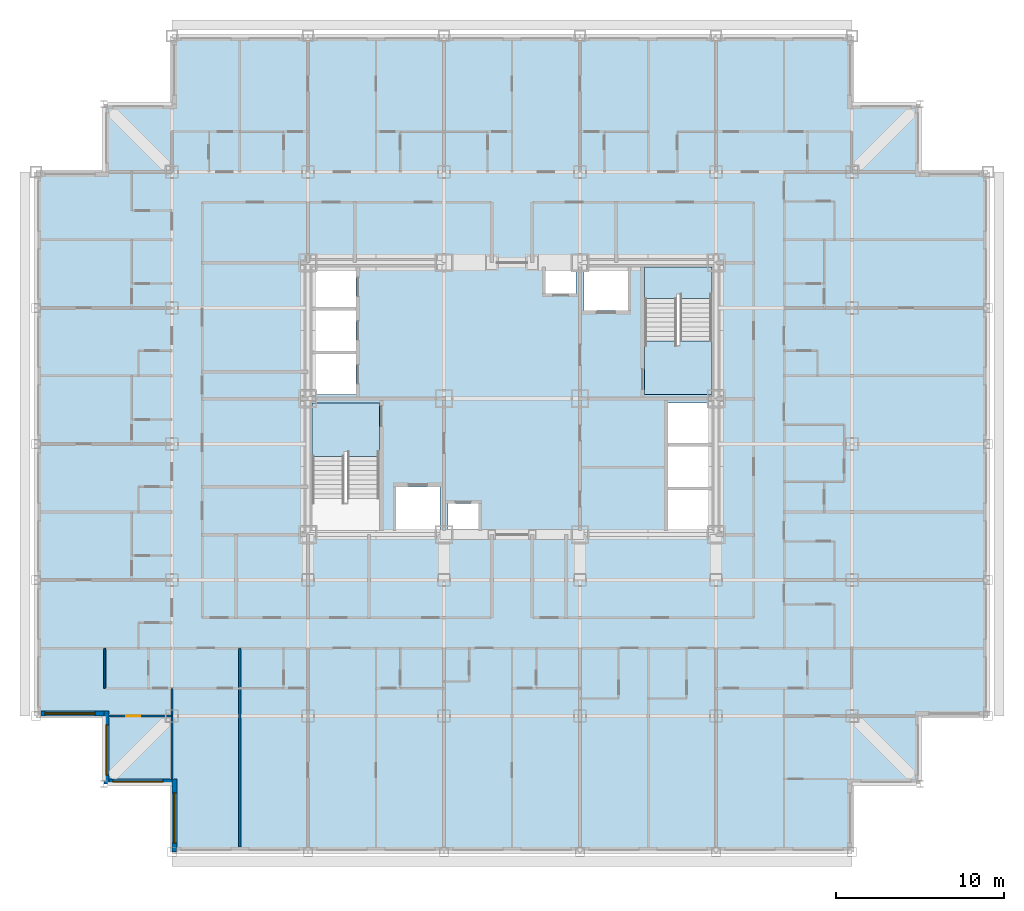
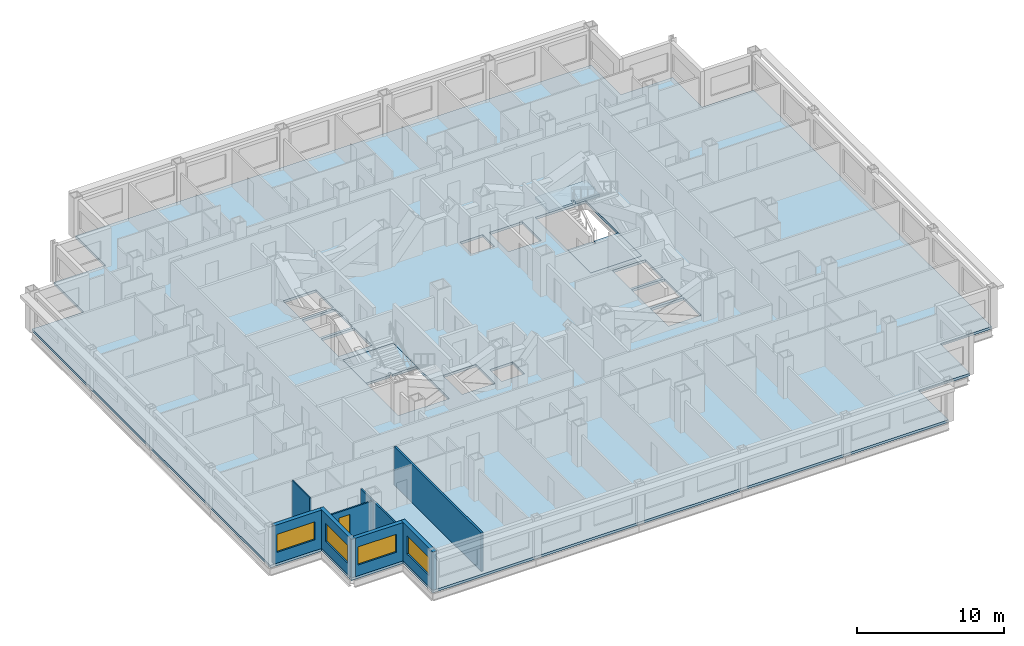
# One storey, part 3 of 13: 8 walls, 4 slabs, 4 windows, 1 door, 5 openings, 2 elements without a shape of their own.
"""IFC4 building model written with IfcOpenShell, lengths in metres."""

import ifcopenshell
import ifcopenshell.guid

model = None  # the IFC model being written
_history = None  # IfcOwnerHistory: only IFC2X3 demands one
_inside = {}  # id of a spatial element -> (the spatial element, [elements in it])
_under = {}  # id of a project, library or spatial element -> (it, [spatial elements below it])
_declared = {}  # id of a project -> (the project, [libraries it declares])
_typed = {}  # id of a type object -> (the type object, [elements of that type])
_made_of = {}  # id of a material, layer set ... -> (it, [elements and type objects made of it])


def new_model(schema):
    """Start an empty IFC model of exactly this schema.

    Asked for "IFC4X3", IfcOpenShell would pick the latest addendum, in which some entities
    have other attributes; the version numbers below select the first issue.
    IFC2X3 requires an IfcOwnerHistory on every rooted entity: one is made here for all.
    """
    global model, _history
    if schema == "IFC4X3":
        model = ifcopenshell.file(schema_version=(4, 3, 0, 0))
    else:
        model = ifcopenshell.file(schema=schema)
    _inside.clear()
    _under.clear()
    _declared.clear()
    _typed.clear()
    _made_of.clear()
    _history = None
    if model.schema == "IFC2X3":
        org = make("IfcOrganization", Name="unknown")
        user = make(
            "IfcPersonAndOrganization",
            ThePerson=make("IfcPerson", FamilyName="unknown"),
            TheOrganization=org,
        )
        app = make(
            "IfcApplication",
            ApplicationDeveloper=org,
            Version="unknown",
            ApplicationFullName="unknown",
            ApplicationIdentifier="unknown",
        )
        _history = make(
            "IfcOwnerHistory",
            OwningUser=user,
            OwningApplication=app,
            ChangeAction="ADDED",
            CreationDate=0,
        )
    return model


def make(cls, **values):
    """One entity of the class cls with the attributes given. An attribute that is None is left unset."""
    return model.create_entity(
        cls, **{name: value for name, value in values.items() if value is not None}
    )


def rooted(cls, **values):
    """An entity with a GlobalId (a new one), such as an element, a storey or a relation."""
    return make(cls, GlobalId=ifcopenshell.guid.new(), OwnerHistory=_history, **values)


def si_unit(unit_type, name, prefix=None):
    """IfcSIUnit, for example si_unit("LENGTHUNIT", "METRE", prefix="MILLI")."""
    return make("IfcSIUnit", UnitType=unit_type, Prefix=prefix, Name=name)


def assignment(units):
    """IfcUnitAssignment: the units of a project."""
    return None if units is None else make("IfcUnitAssignment", Units=units)


def point(xyz):
    """IfcCartesianPoint."""
    return None if xyz is None else make("IfcCartesianPoint", Coordinates=xyz)


def direction(xyz):
    """IfcDirection."""
    return None if xyz is None else make("IfcDirection", DirectionRatios=xyz)


def frame(location, z_axis=None, x_axis=None):
    """IfcAxis2Placement3D, a coordinate frame: its origin and axes. An axis left out is left unset."""
    return make(
        "IfcAxis2Placement3D",
        Location=point(location),
        Axis=direction(z_axis),
        RefDirection=direction(x_axis),
    )


def frame_2d(location, x_axis=None):
    """IfcAxis2Placement2D, a coordinate frame in the plane: its origin and x axis."""
    return make(
        "IfcAxis2Placement2D", Location=point(location), RefDirection=direction(x_axis)
    )


def origin():
    """The frame at (0, 0, 0) with its axes left unset."""
    return frame((0.0, 0.0, 0.0))


def place(relative_to, where):
    """IfcLocalPlacement: puts the frame where relative to a parent placement (None: the world)."""
    return make(
        "IfcLocalPlacement", PlacementRelTo=relative_to, RelativePlacement=where
    )


def context(
    kind, dimensions, precision=None, world=None, true_north=None, identifier=None
):
    """IfcGeometricRepresentationContext, for example the 3D "Model" context."""
    return make(
        "IfcGeometricRepresentationContext",
        ContextIdentifier=identifier,
        ContextType=kind,
        CoordinateSpaceDimension=dimensions,
        Precision=precision,
        WorldCoordinateSystem=world,
        TrueNorth=true_north,
    )


def subcontext(parent, identifier, kind, view, scale=None):
    """IfcGeometricRepresentationSubContext, for example "Body" below "Model"."""
    return make(
        "IfcGeometricRepresentationSubContext",
        ContextIdentifier=identifier,
        ContextType=kind,
        ParentContext=parent,
        TargetScale=scale,
        TargetView=view,
    )


def project(units=None, contexts=None):
    """IfcProject with its units and contexts."""
    return rooted(
        "IfcProject",
        Name="project",
        RepresentationContexts=contexts,
        UnitsInContext=assignment(units),
    )


def spatial(cls, under=None, at=None, **own):
    """A site, building, storey or space (cls), placed at a placement, below another one or the project."""
    s = rooted(cls, ObjectPlacement=at, **own)
    if under is not None:
        _under.setdefault(under.id(), (under, []))[1].append(s)
    return s


def polyline(points):
    """IfcPolyline through the points."""
    return make("IfcPolyline", Points=[point(p) for p in points])


def profile(cls, at=None, kind="AREA", **sizes):
    """A parametric profile (cls). Its sizes go by their IFC names, for example OverallWidth=200.0."""
    return make(cls, ProfileType=kind, Position=at, **sizes)


def rectangle(**sizes):
    """IfcRectangleProfileDef."""
    return profile("IfcRectangleProfileDef", **sizes)


def outline(outer, holes=None, kind="AREA"):
    """IfcArbitraryClosedProfileDef: a profile drawn as a closed curve; with holes, ...WithVoids."""
    if holes is None:
        return make("IfcArbitraryClosedProfileDef", ProfileType=kind, OuterCurve=outer)
    return make(
        "IfcArbitraryProfileDefWithVoids",
        ProfileType=kind,
        OuterCurve=outer,
        InnerCurves=holes,
    )


def extrude(swept, where, along, depth):
    """IfcExtrudedAreaSolid: the profile swept, set in the frame where, extruded along a direction by depth."""
    return make(
        "IfcExtrudedAreaSolid",
        SweptArea=swept,
        Position=where,
        ExtrudedDirection=direction(along),
        Depth=depth,
    )


def shape(context_of_items, identifier, shape_type, items):
    """IfcShapeRepresentation: the items that make up one representation, for example the "Body"."""
    return make(
        "IfcShapeRepresentation",
        ContextOfItems=context_of_items,
        RepresentationIdentifier=identifier,
        RepresentationType=shape_type,
        Items=items,
    )


def material(Name=None, Category=None):
    """IfcMaterial."""
    return make("IfcMaterial", Name=Name, Category=Category)


def layer(
    of_material, thickness, ventilated=None, Name=None, Category=None, Priority=None
):
    """IfcMaterialLayer: one layer of a wall or slab, of a material (None: an air gap)."""
    return make(
        "IfcMaterialLayer",
        Material=of_material,
        LayerThickness=thickness,
        IsVentilated=ventilated,
        Name=Name,
        Category=Category,
        Priority=Priority,
    )


def layer_set(layers, Name=None):
    """IfcMaterialLayerSet."""
    return make("IfcMaterialLayerSet", MaterialLayers=layers, LayerSetName=Name)


def made_of(thing, what):
    """Note that an element or type object is made of a material, layer set ...; save() writes the relation."""
    if what is not None:
        _made_of.setdefault(what.id(), (what, []))[1].append(thing)
    return thing


def type_object(cls, material=None, **own):
    """A type object (cls), such as IfcWallType, which elements share."""
    return made_of(rooted(cls, **own), material)


def element(
    cls,
    number,
    at=None,
    inside=None,
    cuts=None,
    type_object=None,
    material=None,
    context=None,
    identifier="Body",
    shape_type=None,
    held_by="IfcProductDefinitionShape",
    body=None,
    shapes=None,
    **own,
):
    """One element of the class cls, such as IfcWall. Its Tag is "e" and its number.

    at: its placement. inside: the storey or other place that contains it. cuts: it is an
    opening in that element (IfcRelVoidsElement). A single representation is given by context,
    identifier, shape_type and body (its items); several are given by shapes. held_by: the class
    of the entity that holds the representations. save() writes the other relations.
    """
    e = rooted(cls, Tag="e%d" % number, ObjectPlacement=at, **own)
    if body is not None:
        shapes = [shape(context, identifier, shape_type, body)]
    if shapes is not None:
        e.Representation = make(held_by, Representations=shapes)
    if inside is not None:
        _inside.setdefault(inside.id(), (inside, []))[1].append(e)
    if cuts is not None:
        rooted(
            "IfcRelVoidsElement", RelatingBuildingElement=cuts, RelatedOpeningElement=e
        )
    if type_object is not None:
        _typed.setdefault(type_object.id(), (type_object, []))[1].append(e)
    return made_of(e, material)


def fill(opening, filler):
    """IfcRelFillsElement: the door or window that sits in an opening."""
    return rooted(
        "IfcRelFillsElement",
        RelatingOpeningElement=opening,
        RelatedBuildingElement=filler,
    )


def aggregate(whole, parts):
    """IfcRelAggregates: a whole, such as a stair, and the parts it consists of."""
    return rooted("IfcRelAggregates", RelatingObject=whole, RelatedObjects=parts)


def save(model, path):
    """Write the relations noted so far, then the file.

    IfcRelAggregates (storeys below a building ...), IfcRelContainedInSpatialStructure (elements
    in a storey), IfcRelDefinesByType, IfcRelAssociatesMaterial and IfcRelDeclares: one each for
    every whole, place, type object, material and project.
    """
    for whole, parts in _under.values():
        aggregate(whole, parts)
    for where, things in _inside.values():
        rooted(
            "IfcRelContainedInSpatialStructure",
            RelatedElements=things,
            RelatingStructure=where,
        )
    for kind, things in _typed.values():
        rooted("IfcRelDefinesByType", RelatedObjects=things, RelatingType=kind)
    for what, things in _made_of.values():
        rooted("IfcRelAssociatesMaterial", RelatedObjects=things, RelatingMaterial=what)
    for by, libraries in _declared.values():
        rooted("IfcRelDeclares", RelatingContext=by, RelatedDefinitions=libraries)
    model.write(path)


model = new_model("IFC4")

# Units and contexts
model_context = context("Model", 3, precision=1e-05, world=origin(), true_north=direction((0.0, 1.0)))
body_context = subcontext(model_context, "Body", "Model", "MODEL_VIEW")
ifc_project = project(units=[si_unit("LENGTHUNIT", "METRE"), si_unit("AREAUNIT", "SQUARE_METRE"), si_unit("VOLUMEUNIT", "CUBIC_METRE"), si_unit("PLANEANGLEUNIT", "RADIAN"), si_unit("MASSUNIT", "GRAM", prefix="KILO")], contexts=[model_context])

# Site, building, storey
site_placement = place(None, origin())
site = spatial("IfcSite", under=ifc_project, at=site_placement, CompositionType="ELEMENT")
building_placement = place(site_placement, origin())
building = spatial("IfcBuilding", under=site, at=building_placement, Name="Kopane Lantern Tower", CompositionType="ELEMENT")
storey_placement = place(building_placement, frame((0.0, 0.0, 134.0)))
storey = spatial("IfcBuildingStorey", under=building, at=storey_placement, Name="L34", CompositionType="ELEMENT", Elevation=134.0)

# Slab
ifc_material_1 = material(Name="Concrete C40/50", Category="concrete")
ifc_layer_1 = layer(ifc_material_1, 0.2099609375)
ifc_layer_set_1 = layer_set([ifc_layer_1], Name="SLAB 210 COMPOSITE")
slab_type_1 = type_object("IfcSlabType", Name="SLAB 210 COMPOSITE", PredefinedType="FLOOR", material=ifc_layer_set_1)
slab_1_placement = place(storey_placement, frame((0.0, 0.0, -0.2099609375)))
element("IfcSlab", 1, at=slab_1_placement, inside=storey, type_object=slab_type_1, Name="Floor slab L34", PredefinedType="FLOOR", context=body_context, shape_type="SweptSolid", body=[
    extrude(outline(polyline([(8.10009765625, 5.39990234375), (48.60009765625, 5.39990234375), (48.60009765625, 9.449951171875), (52.64990234375, 9.449951171875), (52.64990234375, 13.5), (56.699951171875, 13.5), (56.699951171875, 45.89990234375), (52.64990234375, 45.89990234375), (52.64990234375, 49.949951171875), (48.60009765625, 49.949951171875), (48.60009765625, 54.0), (8.10009765625, 54.0), (8.10009765625, 49.949951171875), (4.050048828125, 49.949951171875), (4.050048828125, 45.89990234375), (0.0, 45.89990234375), (0.0, 13.5), (4.050048828125, 13.5), (4.050048828125, 9.449951171875), (8.10009765625, 9.449951171875), (8.10009765625, 5.39990234375)]), holes=[polyline([(16.449951171875, 24.550048828125), (20.449951171875, 24.550048828125), (20.449951171875, 32.14990234375), (16.449951171875, 32.14990234375), (16.449951171875, 24.550048828125)]), polyline([(36.25, 32.64990234375), (40.25, 32.64990234375), (40.25, 40.25), (36.25, 40.25), (36.25, 32.64990234375)]), polyline([(16.449951171875, 32.64990234375), (19.050048828125, 32.64990234375), (19.050048828125, 35.050048828125), (16.449951171875, 35.050048828125), (16.449951171875, 32.64990234375)]), polyline([(16.449951171875, 35.25), (19.050048828125, 35.25), (19.050048828125, 37.64990234375), (16.449951171875, 37.64990234375), (16.449951171875, 35.25)]), polyline([(16.449951171875, 37.85009765625), (19.050048828125, 37.85009765625), (19.050048828125, 40.25), (16.449951171875, 40.25), (16.449951171875, 37.85009765625)]), polyline([(37.64990234375, 24.550048828125), (40.25, 24.550048828125), (40.25, 26.949951171875), (37.64990234375, 26.949951171875), (37.64990234375, 24.550048828125)]), polyline([(37.64990234375, 27.14990234375), (40.25, 27.14990234375), (40.25, 29.550048828125), (37.64990234375, 29.550048828125), (37.64990234375, 27.14990234375)]), polyline([(37.64990234375, 29.75), (40.25, 29.75), (40.25, 32.14990234375), (37.64990234375, 32.14990234375), (37.64990234375, 29.75)]), polyline([(21.449951171875, 24.550048828125), (24.050048828125, 24.550048828125), (24.050048828125, 27.14990234375), (21.449951171875, 27.14990234375), (21.449951171875, 24.550048828125)]), polyline([(32.64990234375, 37.64990234375), (35.25, 37.64990234375), (35.25, 40.25), (32.64990234375, 40.25), (32.64990234375, 37.64990234375)]), polyline([(24.550048828125, 24.550048828125), (26.35009765625, 24.550048828125), (26.35009765625, 26.14990234375), (24.550048828125, 26.14990234375), (24.550048828125, 24.550048828125)]), polyline([(30.35009765625, 38.64990234375), (32.14990234375, 38.64990234375), (32.14990234375, 40.25), (30.35009765625, 40.25), (30.35009765625, 38.64990234375)])]), origin(), (0.0, 0.0, 1.0), 0.2099609375),
])

# Stair, slab
ifc_material_2 = material(Name="Steel S355JR", Category="steel")
stair_type = type_object("IfcStairType", Name="EXIT STAIR 1900 HALF TURN", PredefinedType="HALF_TURN_STAIR", material=ifc_material_2)
stair_1_placement = place(storey_placement, origin())
stair_1 = element("IfcStair", 2, at=stair_1_placement, inside=storey, type_object=stair_type, Name="Exit stair ST1 L34", PredefinedType="HALF_TURN_STAIR")
ifc_material_3 = material(Name="Concrete C40/50", Category="concrete")
ifc_layer_2 = layer(ifc_material_3, 0.199951171875)
ifc_layer_set_2 = layer_set([ifc_layer_2], Name="STAIR LANDING 200")
slab_type_2 = type_object("IfcSlabType", Name="STAIR LANDING 200", PredefinedType="LANDING", material=ifc_layer_set_2)
slab_2_placement = place(storey_placement, frame((0.0, 0.0, -0.199951171875)))
slab_2 = element("IfcSlab", 3, at=slab_2_placement, type_object=slab_type_2, Name="ST1 landing 1", PredefinedType="LANDING", context=body_context, shape_type="SweptSolid", body=[
    extrude(outline(polyline([(18.35009765625, 29.25), (18.550048828125, 29.25), (18.550048828125, 28.969970703125), (20.449951171875, 28.969970703125), (20.449951171875, 32.14990234375), (16.449951171875, 32.14990234375), (16.449951171875, 28.969970703125), (18.35009765625, 28.969970703125), (18.35009765625, 29.25)])), origin(), (0.0, 0.0, 1.0), 0.199951171875),
])
aggregate(stair_1, [slab_2])

# Stair, slabs
stair_2_placement = place(storey_placement, origin())
stair_2 = element("IfcStair", 4, at=stair_2_placement, inside=storey, type_object=stair_type, Name="Exit stair ST2 L34", PredefinedType="HALF_TURN_STAIR")
slab_3_placement = place(storey_placement, frame((0.0, 0.0, -0.199951171875)))
slab_3 = element("IfcSlab", 5, at=slab_3_placement, type_object=slab_type_2, Name="ST2 landing 1", PredefinedType="LANDING", context=body_context, shape_type="SweptSolid", body=[
    extrude(outline(polyline([(40.25, 35.830078125), (38.35009765625, 35.830078125), (38.35009765625, 35.550048828125), (38.14990234375, 35.550048828125), (38.14990234375, 35.830078125), (36.25, 35.830078125), (36.25, 32.64990234375), (40.25, 32.64990234375), (40.25, 35.830078125)])), origin(), (0.0, 0.0, 1.0), 0.199951171875),
])
slab_4_placement = place(storey_placement, frame((0.0, 0.0, 1.5)))
slab_4 = element("IfcSlab", 6, at=slab_4_placement, type_object=slab_type_2, Name="ST2 landing 2", PredefinedType="LANDING", context=body_context, shape_type="SweptSolid", body=[
    extrude(outline(polyline([(38.14990234375, 38.6298828125), (38.35009765625, 38.6298828125), (38.35009765625, 38.35009765625), (40.25, 38.35009765625), (40.25, 40.25), (36.25, 40.25), (36.25, 38.35009765625), (38.14990234375, 38.35009765625), (38.14990234375, 38.6298828125)])), origin(), (0.0, 0.0, 1.0), 0.199951171875),
])
aggregate(stair_2, [slab_3, slab_4])

# Wall
ifc_material_4 = material(Name="Gypsum board on steel studs", Category="steel")
ifc_layer_3 = layer(ifc_material_4, 0.1201171875)
ifc_layer_set_3 = layer_set([ifc_layer_3], Name="APARTMENT INTERNAL WALL 120")
wall_type_1 = type_object("IfcWallType", Name="APARTMENT INTERNAL WALL 120", PredefinedType="PARTITIONING", material=ifc_layer_set_3)
wall_1_placement = place(storey_placement, frame((8.10009765625, 15.14990234375, 0.0), z_axis=(0.0, 0.0, 1.0), x_axis=(0.0, -1.0, 0.0)))
element("IfcWall", 7, at=wall_1_placement, inside=storey, type_object=wall_type_1, Name="Apartment Internal Wall 120 L34", PredefinedType="PARTITIONING", context=body_context, shape_type="SweptSolid", body=[
    extrude(rectangle(XDim=5.39990234375, YDim=0.1201171875, at=frame_2d((2.699951171875, 0.0))), origin(), (0.0, 0.0, 1.0), 2.577880859375),
])

# Wall, opening, door
wall_2_placement = place(storey_placement, frame((8.10009765625, 13.5, 0.0), z_axis=(0.0, 0.0, 1.0), x_axis=(-1.0, 0.0, 0.0)))
wall_2 = element("IfcWall", 8, at=wall_2_placement, inside=storey, type_object=wall_type_1, Name="Apartment Internal Wall 120 L34", PredefinedType="PARTITIONING", context=body_context, shape_type="SweptSolid", body=[
    extrude(rectangle(XDim=3.75, YDim=0.1201171875, at=frame_2d((1.875, 0.0))), origin(), (0.0, 0.0, 1.0), 2.577880859375),
])
opening_1_placement = place(wall_2_placement, frame((1.875, 0.0, 0.0)))
opening_1 = element("IfcOpeningElement", 9, at=opening_1_placement, cuts=wall_2, Name="Opening L34-074", PredefinedType="OPENING", context=body_context, shape_type="SweptSolid", body=[
    extrude(rectangle(XDim=0.85009765625, YDim=2.10009765625, at=frame_2d((0.425048828125, 1.050048828125))), frame((0.0, 0.070068359375, 0.0), z_axis=(0.0, -1.0, 0.0), x_axis=(1.0, 0.0, 0.0)), (0.0, 0.0, 1.0), 0.14013671875),
])
ifc_material_5 = material(Name="Timber door set", Category="wood")
door_type = type_object("IfcDoorType", Name="DOOR D4 850x2100", OperationType="SINGLE_SWING_LEFT", PredefinedType="DOOR", material=ifc_material_5)
door_placement = place(opening_1_placement, origin())
door = element("IfcDoor", 10, at=door_placement, inside=storey, type_object=door_type, Name="Door L34-074", OperationType="SINGLE_SWING_LEFT", OverallHeight=2.10009765625, OverallWidth=0.85009765625, PredefinedType="DOOR", context=body_context, shape_type="SweptSolid", body=[
    extrude(rectangle(XDim=0.85009765625, YDim=2.10009765625, at=frame_2d((0.425048828125, 1.050048828125))), frame((0.0, 0.02490234375, 0.0), z_axis=(0.0, -1.0, 0.0), x_axis=(1.0, 0.0, 0.0)), (0.0, 0.0, 1.0), 0.050048828125),
])
fill(opening_1, door)

# Walls
ifc_material_6 = material(Name="Moisture-resistant board on steel studs", Category="steel")
ifc_layer_4 = layer(ifc_material_6, 0.10009765625)
ifc_layer_set_4 = layer_set([ifc_layer_4], Name="BATHROOM WALL 100")
wall_type_2 = type_object("IfcWallType", Name="BATHROOM WALL 100", PredefinedType="PARTITIONING", material=ifc_layer_set_4)
wall_3_placement = place(storey_placement, frame((4.10009765625, 17.550048828125, 0.0), z_axis=(0.0, 0.0, 1.0), x_axis=(0.0, -1.0, 0.0)))
element("IfcWall", 11, at=wall_3_placement, inside=storey, type_object=wall_type_2, Name="Bathroom Wall 100 L34", PredefinedType="PARTITIONING", context=body_context, shape_type="SweptSolid", body=[
    extrude(rectangle(XDim=2.400146484375, YDim=0.10009765625, at=frame_2d((1.2001953125, 0.0))), origin(), (0.0, 0.0, 1.0), 3.18994140625),
])
ifc_material_7 = material(Name="Gypsum board on steel studs", Category="steel")
ifc_layer_5 = layer(ifc_material_7, 0.14990234375)
ifc_layer_set_5 = layer_set([ifc_layer_5], Name="DEMISING WALL 150 EI 60")
wall_type_3 = type_object("IfcWallType", Name="DEMISING WALL 150 EI 60", PredefinedType="PARTITIONING", material=ifc_layer_set_5)
wall_4_placement = place(storey_placement, frame((12.14990234375, 17.550048828125, 0.0), z_axis=(0.0, 0.0, 1.0), x_axis=(0.0, -1.0, 0.0)))
element("IfcWall", 12, at=wall_4_placement, inside=storey, type_object=wall_type_3, Name="Demising Wall 150 Ei 60 L34", PredefinedType="PARTITIONING", context=body_context, shape_type="SweptSolid", body=[
    extrude(rectangle(XDim=11.85009765625, YDim=0.14990234375, at=frame_2d((5.925048828125, 0.0))), origin(), (0.0, 0.0, 1.0), 3.18994140625),
])

# Wall, opening, window
ifc_material_8 = material(Name="Terracotta rainscreen on light steel framing", Category="masonry")
ifc_layer_6 = layer(ifc_material_8, 0.300048828125)
ifc_layer_set_6 = layer_set([ifc_layer_6], Name="EXTERNAL WALL EW1 300 TERRACOTTA")
wall_type_4 = type_object("IfcWallType", Name="EXTERNAL WALL EW1 300 TERRACOTTA", PredefinedType="SOLIDWALL", material=ifc_layer_set_6)
wall_5_placement = place(storey_placement, frame((0.300048828125, 13.64990234375, 0.0), z_axis=(0.0, 0.0, 1.0), x_axis=(1.0, 0.0, 0.0)))
wall_5 = element("IfcWall", 13, at=wall_5_placement, inside=storey, type_object=wall_type_4, Name="External wall S L34", PredefinedType="SOLIDWALL", context=body_context, shape_type="SweptSolid", body=[
    extrude(rectangle(XDim=3.75, YDim=0.300048828125, at=frame_2d((1.875, 0.0))), origin(), (0.0, 0.0, 1.0), 3.18994140625),
])
opening_2_placement = place(wall_5_placement, frame((0.22509765625, 0.0, 0.89990234375)))
opening_2 = element("IfcOpeningElement", 14, at=opening_2_placement, cuts=wall_5, Name="Opening WR300150", PredefinedType="OPENING", context=body_context, shape_type="SweptSolid", body=[
    extrude(rectangle(XDim=3.0, YDim=1.5, at=frame_2d((1.5, 0.75))), frame((0.0, 0.159912109375, 0.0), z_axis=(0.0, -1.0, 0.0), x_axis=(1.0, 0.0, 0.0)), (0.0, 0.0, 1.0), 0.320068359375),
])
ifc_material_9 = material(Name="Aluminium and clear glass", Category="aluminium")
window_type = type_object("IfcWindowType", Name="RIBBON WINDOW WR300150 3000x1500", PartitioningType="SINGLE_PANEL", PredefinedType="WINDOW", material=ifc_material_9)
window_1_placement = place(opening_2_placement, origin())
window_1 = element("IfcWindow", 15, at=window_1_placement, inside=storey, type_object=window_type, Name="Window S L34", OverallHeight=1.5, OverallWidth=3.0, PartitioningType="SINGLE_PANEL", PredefinedType="WINDOW", context=body_context, shape_type="SweptSolid", body=[
    extrude(rectangle(XDim=3.0, YDim=1.5, at=frame_2d((1.5, 0.75))), frame((0.0, 0.030029296875, 0.0), z_axis=(0.0, -1.0, 0.0), x_axis=(1.0, 0.0, 0.0)), (0.0, 0.0, 1.0), 0.06005859375),
])
fill(opening_2, window_1)

wall_6_placement = place(storey_placement, frame((4.199951171875, 13.800048828125, 0.0), z_axis=(0.0, 0.0, 1.0), x_axis=(0.0, -1.0, 0.0)))
wall_6 = element("IfcWall", 16, at=wall_6_placement, inside=storey, type_object=wall_type_4, Name="External wall W L34", PredefinedType="SOLIDWALL", context=body_context, shape_type="SweptSolid", body=[
    extrude(rectangle(XDim=4.35009765625, YDim=0.300048828125, at=frame_2d((2.175048828125, 0.0))), origin(), (0.0, 0.0, 1.0), 3.18994140625),
])
opening_3_placement = place(wall_6_placement, frame((0.824951171875, 0.0, 0.89990234375)))
opening_3 = element("IfcOpeningElement", 17, at=opening_3_placement, cuts=wall_6, Name="Opening WR300150", PredefinedType="OPENING", context=body_context, shape_type="SweptSolid", body=[
    extrude(rectangle(XDim=3.0, YDim=1.5, at=frame_2d((1.5, 0.75))), frame((0.0, 0.159912109375, 0.0), z_axis=(0.0, -1.0, 0.0), x_axis=(1.0, 0.0, 0.0)), (0.0, 0.0, 1.0), 0.320068359375),
])
window_2_placement = place(opening_3_placement, origin())
window_2 = element("IfcWindow", 18, at=window_2_placement, inside=storey, type_object=window_type, Name="Window W L34", OverallHeight=1.5, OverallWidth=3.0, PartitioningType="SINGLE_PANEL", PredefinedType="WINDOW", context=body_context, shape_type="SweptSolid", body=[
    extrude(rectangle(XDim=3.0, YDim=1.5, at=frame_2d((1.5, 0.75))), frame((0.0, 0.030029296875, 0.0), z_axis=(0.0, -1.0, 0.0), x_axis=(1.0, 0.0, 0.0)), (0.0, 0.0, 1.0), 0.06005859375),
])
fill(opening_3, window_2)

wall_7_placement = place(storey_placement, frame((4.35009765625, 9.60009765625, 0.0), z_axis=(0.0, 0.0, 1.0), x_axis=(1.0, 0.0, 0.0)))
wall_7 = element("IfcWall", 19, at=wall_7_placement, inside=storey, type_object=wall_type_4, Name="External wall S L34", PredefinedType="SOLIDWALL", context=body_context, shape_type="SweptSolid", body=[
    extrude(rectangle(XDim=3.75, YDim=0.300048828125, at=frame_2d((1.875, 0.0))), origin(), (0.0, 0.0, 1.0), 3.18994140625),
])
opening_4_placement = place(wall_7_placement, frame((0.22509765625, 0.0, 0.89990234375)))
opening_4 = element("IfcOpeningElement", 20, at=opening_4_placement, cuts=wall_7, Name="Opening WR300150", PredefinedType="OPENING", context=body_context, shape_type="SweptSolid", body=[
    extrude(rectangle(XDim=3.0, YDim=1.5, at=frame_2d((1.5, 0.75))), frame((0.0, 0.159912109375, 0.0), z_axis=(0.0, -1.0, 0.0), x_axis=(1.0, 0.0, 0.0)), (0.0, 0.0, 1.0), 0.320068359375),
])
window_3_placement = place(opening_4_placement, origin())
window_3 = element("IfcWindow", 21, at=window_3_placement, inside=storey, type_object=window_type, Name="Window S L34", OverallHeight=1.5, OverallWidth=3.0, PartitioningType="SINGLE_PANEL", PredefinedType="WINDOW", context=body_context, shape_type="SweptSolid", body=[
    extrude(rectangle(XDim=3.0, YDim=1.5, at=frame_2d((1.5, 0.75))), frame((0.0, 0.030029296875, 0.0), z_axis=(0.0, -1.0, 0.0), x_axis=(1.0, 0.0, 0.0)), (0.0, 0.0, 1.0), 0.06005859375),
])
fill(opening_4, window_3)

wall_8_placement = place(storey_placement, frame((8.25, 9.75, 0.0), z_axis=(0.0, 0.0, 1.0), x_axis=(0.0, -1.0, 0.0)))
wall_8 = element("IfcWall", 22, at=wall_8_placement, inside=storey, type_object=wall_type_4, Name="External wall W L34", PredefinedType="SOLIDWALL", context=body_context, shape_type="SweptSolid", body=[
    extrude(rectangle(XDim=4.35009765625, YDim=0.300048828125, at=frame_2d((2.175048828125, 0.0))), origin(), (0.0, 0.0, 1.0), 3.18994140625),
])
opening_5_placement = place(wall_8_placement, frame((0.824951171875, 0.0, 0.89990234375)))
opening_5 = element("IfcOpeningElement", 23, at=opening_5_placement, cuts=wall_8, Name="Opening WR300150", PredefinedType="OPENING", context=body_context, shape_type="SweptSolid", body=[
    extrude(rectangle(XDim=3.0, YDim=1.5, at=frame_2d((1.5, 0.75))), frame((0.0, 0.159912109375, 0.0), z_axis=(0.0, -1.0, 0.0), x_axis=(1.0, 0.0, 0.0)), (0.0, 0.0, 1.0), 0.320068359375),
])
window_4_placement = place(opening_5_placement, origin())
window_4 = element("IfcWindow", 24, at=window_4_placement, inside=storey, type_object=window_type, Name="Window W L34", OverallHeight=1.5, OverallWidth=3.0, PartitioningType="SINGLE_PANEL", PredefinedType="WINDOW", context=body_context, shape_type="SweptSolid", body=[
    extrude(rectangle(XDim=3.0, YDim=1.5, at=frame_2d((1.5, 0.75))), frame((0.0, 0.030029296875, 0.0), z_axis=(0.0, -1.0, 0.0), x_axis=(1.0, 0.0, 0.0)), (0.0, 0.0, 1.0), 0.06005859375),
])
fill(opening_5, window_4)

save(model, "model.ifc")
